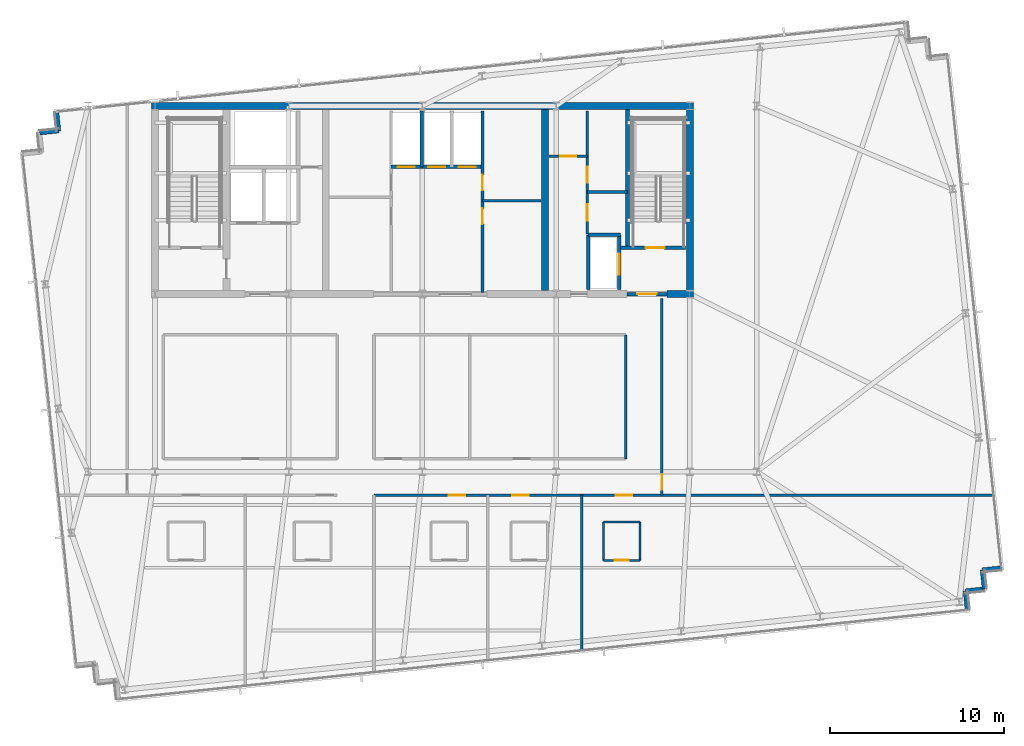
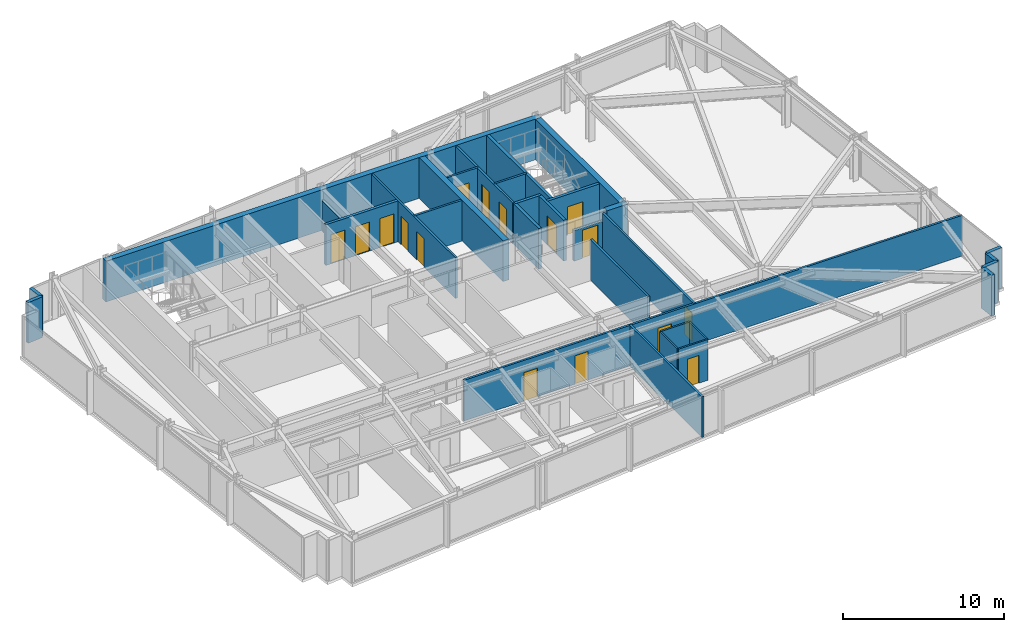
# One storey, part 28 of 33: 31 walls, 16 doors, 16 openings.
"""IFC4 building model written with IfcOpenShell, lengths in metres."""

from ifc_helpers import new_model, si_unit, direction, frame, frame_2d, origin, place, context, subcontext, project, spatial, rectangle, extrude, material, layer, layer_set, type_object, element, fill, save


model = new_model("IFC4")

# Units and contexts
model_context = context("Model", 3, precision=1e-05, world=origin(), true_north=direction((0.0, 1.0)))
body_context = subcontext(model_context, "Body", "Model", "MODEL_VIEW")
ifc_project = project(units=[si_unit("LENGTHUNIT", "METRE"), si_unit("AREAUNIT", "SQUARE_METRE"), si_unit("VOLUMEUNIT", "CUBIC_METRE"), si_unit("PLANEANGLEUNIT", "RADIAN"), si_unit("MASSUNIT", "GRAM", prefix="KILO")], contexts=[model_context])

# Site, building, storey
site_placement = place(None, origin())
site = spatial("IfcSite", under=ifc_project, at=site_placement, CompositionType="ELEMENT")
building_placement = place(site_placement, origin())
building = spatial("IfcBuilding", under=site, at=building_placement, Name="Yelkora Congress Tower", CompositionType="ELEMENT")
storey_placement = place(building_placement, frame((0.0, 0.0, 224.300048828125)))
storey = spatial("IfcBuildingStorey", under=building, at=storey_placement, Name="L62", CompositionType="ELEMENT", Elevation=224.300048828125)

# Walls
ifc_material_1 = material(Name="Concrete C50/60", Category="concrete")
ifc_layer_1 = layer(ifc_material_1, 0.219970703125)
ifc_layer_set_1 = layer_set([ifc_layer_1], Name="Concrete C50/60")
wall_type_1 = type_object("IfcWallType", Name="WALL-CORE-INT-220", PredefinedType="SHEAR", material=ifc_layer_set_1)
wall_1_placement = place(storey_placement, frame((50.179931640625, 38.050048828125, 0.0), z_axis=(0.0, 0.0, 1.0), x_axis=(0.0, 1.0, 0.0)))
element("IfcWall", 1, at=wall_1_placement, inside=storey, type_object=wall_type_1, Name="L62 ST02 West Stair Shear Wall", PredefinedType="SHEAR", context=body_context, shape_type="SweptSolid", body=[
    extrude(rectangle(XDim=7.949951171875, YDim=0.219970703125, at=frame_2d((3.97509765625, 0.0))), origin(), (0.0, 0.0, 1.0), 3.079833984375),
])
ifc_layer_2 = layer(ifc_material_1, 0.39990234375)
ifc_layer_set_2 = layer_set([ifc_layer_2], Name="Concrete C50/60")
wall_type_2 = type_object("IfcWallType", Name="WALL-CORE-INT-400", PredefinedType="SHEAR", material=ifc_layer_set_2)
wall_2_placement = place(storey_placement, frame((22.840087890625, 46.199951171875, 0.0), z_axis=(0.0, 0.0, 1.0), x_axis=(1.0, 0.0, 0.0)))
element("IfcWall", 2, at=wall_2_placement, inside=storey, type_object=wall_type_2, Name="L62 Rear Core North Shear Wall", PredefinedType="SHEAR", context=body_context, shape_type="SweptSolid", body=[
    extrude(rectangle(XDim=31.119873046875, YDim=0.39990234375, at=frame_2d((15.56005859375, 0.0))), origin(), (0.0, 0.0, 1.0), 3.079833984375),
])
wall_3_placement = place(storey_placement, frame((52.449951171875, 35.39990234375, 0.0), z_axis=(0.0, 0.0, 1.0), x_axis=(1.0, 0.0, 0.0)))
element("IfcWall", 3, at=wall_3_placement, inside=storey, type_object=wall_type_2, Name="L62 Rear Core South-East Shear Wall B", PredefinedType="SHEAR", context=body_context, shape_type="SweptSolid", body=[
    extrude(rectangle(XDim=1.510009765625, YDim=0.39990234375, at=frame_2d((0.7548828125, 0.0))), origin(), (0.0, 0.0, 1.0), 3.079833984375),
])
for number, where, z_axis, x_axis, name in (
    (4, (45.449951171875, 35.60009765625, 0.0), (0.0, 0.0, 1.0), (0.0, 1.0, 0.0), "L62 Rear Core Cross Shear Wall C3"),
    (5, (53.760009765625, 35.60009765625, 0.0), (0.0, 0.0, 1.0), (0.0, 1.0, 0.0), "L62 Rear Core Cross Shear Wall E"),
):
    element("IfcWall", number, at=place(storey_placement, frame(where, z_axis=z_axis, x_axis=x_axis)), inside=storey, type_object=wall_type_2, Name=name, PredefinedType="SHEAR", context=body_context, shape_type="SweptSolid", body=[
        extrude(rectangle(XDim=10.39990234375, YDim=0.39990234375, at=frame_2d((5.199951171875, 0.0))), origin(), (0.0, 0.0, 1.0), 3.079833984375),
    ])
ifc_material_2 = material(Name="Concrete C40/50", Category="concrete")
ifc_layer_3 = layer(ifc_material_2, 0.239990234375)
ifc_layer_set_3 = layer_set([ifc_layer_3], Name="Concrete C40/50")
wall_type_3 = type_object("IfcWallType", Name="WALL-EXT-LIMESTONE-240", PredefinedType="SOLIDWALL", material=ifc_layer_set_3)
wall_4_placement = place(storey_placement, frame((16.420166015625, 44.65380859375, 0.0), z_axis=(0.0, 0.0, 1.0), x_axis=(0.994541884982, 0.104338099541, 0.0)))
element("IfcWall", 6, at=wall_4_placement, inside=storey, type_object=wall_type_3, Name="L62 Serrated Corner Limestone Pier 8", PredefinedType="SOLIDWALL", context=body_context, shape_type="SweptSolid", body=[
    extrude(rectangle(XDim=1.099853515625, YDim=0.239990234375, at=frame_2d((0.5498046875, 0.0))), origin(), (0.0, 0.0, 1.0), 3.079833984375),
])
for number, where, z_axis, x_axis, name in (
    (7, (17.513916015625, 44.7685546875, 0.0), (0.0, 0.0, 1.0), (-0.104534592565, 0.994521251134, 0.0), "L62 Serrated Corner Limestone Pier 9"),
    (8, (71.654052734375, 19.67041015625, 0.0), (0.0, 0.0, 1.0), (-0.994521251134, -0.104534592565, 0.0), "L62 Serrated Corner Limestone Pier 16"),
    (9, (70.56005859375, 19.555419921875, 0.0), (0.0, 0.0, 1.0), (0.104534592565, -0.994521251134, 0.0), "L62 Serrated Corner Limestone Pier 17"),
    (10, (70.675048828125, 18.46142578125, 0.0), (0.0, 0.0, 1.0), (-0.994521251134, -0.104534592565, 0.0), "L62 Serrated Corner Limestone Pier 18"),
    (11, (69.5810546875, 18.346435546875, 0.0), (0.0, 0.0, 1.0), (0.104534592565, -0.994521251134, 0.0), "L62 Serrated Corner Limestone Pier 19"),
):
    element("IfcWall", number, at=place(storey_placement, frame(where, z_axis=z_axis, x_axis=x_axis)), inside=storey, type_object=wall_type_3, Name=name, PredefinedType="SOLIDWALL", context=body_context, shape_type="SweptSolid", body=[
        extrude(rectangle(XDim=1.10009765625, YDim=0.239990234375, at=frame_2d((0.550048828125, 0.0))), origin(), (0.0, 0.0, 1.0), 3.079833984375),
    ])
ifc_material_3 = material(Name="Moisture-resistant gypsum partition", Category="gypsum")
ifc_layer_4 = layer(ifc_material_3, 0.1201171875)
ifc_layer_set_4 = layer_set([ifc_layer_4], Name="Moisture-resistant gypsum partition")
wall_type_4 = type_object("IfcWallType", Name="WALL-INT-120-NR", PredefinedType="PARTITIONING", material=ifc_layer_set_4)
wall_5_placement = place(storey_placement, frame((48.81103515625, 22.300048828125, 0.0), z_axis=(0.0, 0.0, 1.0), x_axis=(1.0, 0.0, 0.0)))
element("IfcWall", 12, at=wall_5_placement, inside=storey, type_object=wall_type_4, Name="L62 Partition Wall 42", PredefinedType="PARTITIONING", context=body_context, shape_type="SweptSolid", body=[
    extrude(rectangle(XDim=2.099853515625, YDim=0.1201171875, at=frame_2d((1.0498046875, 0.0))), origin(), (0.0, 0.0, 1.0), 3.079833984375),
])
for number, where, z_axis, x_axis, name in (
    (13, (48.81103515625, 20.10009765625, 0.0), (0.0, 0.0, 1.0), (0.0, 1.0, 0.0), "L62 Partition Wall 43"),
    (14, (50.910888671875, 20.10009765625, 0.0), (0.0, 0.0, 1.0), (0.0, 1.0, 0.0), "L62 Partition Wall 44"),
):
    element("IfcWall", number, at=place(storey_placement, frame(where, z_axis=z_axis, x_axis=x_axis)), inside=storey, type_object=wall_type_4, Name=name, PredefinedType="PARTITIONING", context=body_context, shape_type="SweptSolid", body=[
        extrude(rectangle(XDim=2.199951171875, YDim=0.1201171875, at=frame_2d((1.10009765625, 0.0))), origin(), (0.0, 0.0, 1.0), 3.079833984375),
    ])

# Wall, opening, door
wall_6_placement = place(storey_placement, frame((48.81103515625, 20.10009765625, 0.0), z_axis=(0.0, 0.0, 1.0), x_axis=(1.0, 0.0, 0.0)))
wall_6 = element("IfcWall", 15, at=wall_6_placement, inside=storey, type_object=wall_type_4, Name="L62 Partition Wall 45", PredefinedType="PARTITIONING", context=body_context, shape_type="SweptSolid", body=[
    extrude(rectangle(XDim=2.099853515625, YDim=0.1201171875, at=frame_2d((1.0498046875, 0.0))), origin(), (0.0, 0.0, 1.0), 3.079833984375),
])
opening_1_placement = place(wall_6_placement, frame((0.64990234375, 0.0, 0.0)))
opening_1 = element("IfcOpeningElement", 16, at=opening_1_placement, cuts=wall_6, Name="Opening DR-080B", PredefinedType="OPENING", context=body_context, shape_type="SweptSolid", body=[
    extrude(rectangle(XDim=0.800048828125, YDim=2.10009765625, at=frame_2d((0.39990234375, 1.050048828125))), frame((0.0, 0.070068359375, 0.0), z_axis=(0.0, -1.0, 0.0), x_axis=(1.0, 0.0, 0.0)), (0.0, 0.0, 1.0), 0.14013671875),
])
ifc_material_4 = material(Name="Moisture-sealed en-suite timber door", Category="wood")
door_type_1 = type_object("IfcDoorType", Name="DOOR-BATH-800", OperationType="NOTDEFINED", PredefinedType="DOOR", material=ifc_material_4)
door_1_placement = place(opening_1_placement, origin())
door_1 = element("IfcDoor", 17, at=door_1_placement, inside=storey, type_object=door_type_1, Name="L62 En-suite Door 6", OperationType="SINGLE_SWING_RIGHT", OverallHeight=2.10009765625, OverallWidth=0.800048828125, PredefinedType="DOOR", context=body_context, shape_type="SweptSolid", body=[
    extrude(rectangle(XDim=0.800048828125, YDim=2.10009765625, at=frame_2d((0.39990234375, 1.050048828125))), frame((0.0, 0.02490234375, 0.0), z_axis=(0.0, -1.0, 0.0), x_axis=(1.0, 0.0, 0.0)), (0.0, 0.0, 1.0), 0.050048828125),
])
fill(opening_1, door_1)

ifc_material_5 = material(Name="Acoustic metal-stud gypsum partition", Category="gypsum")
ifc_layer_5 = layer(ifc_material_5, 0.14990234375)
ifc_layer_set_5 = layer_set([ifc_layer_5], Name="Acoustic metal-stud gypsum partition")
wall_type_5 = type_object("IfcWallType", Name="WALL-INT-150-NR", PredefinedType="PARTITIONING", material=ifc_layer_set_5)
wall_7_placement = place(storey_placement, frame((45.679931640625, 43.31005859375, 0.0), z_axis=(0.0, 0.0, 1.0), x_axis=(1.0, 0.0, 0.0)))
wall_7 = element("IfcWall", 18, at=wall_7_placement, inside=storey, type_object=wall_type_5, Name="L62 Partition Wall 20", PredefinedType="PARTITIONING", context=body_context, shape_type="SweptSolid", body=[
    extrude(rectangle(XDim=2.199951171875, YDim=0.14990234375, at=frame_2d((1.10009765625, 0.0))), origin(), (0.0, 0.0, 1.0), 3.079833984375),
])
opening_2_placement = place(wall_7_placement, frame((0.64990234375, 0.0, 0.0)))
opening_2 = element("IfcOpeningElement", 19, at=opening_2_placement, cuts=wall_7, Name="Opening DR-090N", PredefinedType="OPENING", context=body_context, shape_type="SweptSolid", body=[
    extrude(rectangle(XDim=0.89990234375, YDim=2.14990234375, at=frame_2d((0.449951171875, 1.074951171875))), frame((0.0, 0.0849609375, 0.0), z_axis=(0.0, -1.0, 0.0), x_axis=(1.0, 0.0, 0.0)), (0.0, 0.0, 1.0), 0.169921875),
])
ifc_material_6 = material(Name="Moisture-resistant laminate door leaf", Category="wood")
door_type_2 = type_object("IfcDoorType", Name="DOOR-INT-900", OperationType="NOTDEFINED", PredefinedType="DOOR", material=ifc_material_6)
door_2_placement = place(opening_2_placement, origin())
door_2 = element("IfcDoor", 20, at=door_2_placement, inside=storey, type_object=door_type_2, Name="L62 Male WC Door", OperationType="SINGLE_SWING_LEFT", OverallHeight=2.14990234375, OverallWidth=0.89990234375, PredefinedType="DOOR", context=body_context, shape_type="SweptSolid", body=[
    extrude(rectangle(XDim=0.89990234375, YDim=2.14990234375, at=frame_2d((0.449951171875, 1.074951171875))), frame((0.0, 0.02490234375, 0.0), z_axis=(0.0, -1.0, 0.0), x_axis=(1.0, 0.0, 0.0)), (0.0, 0.0, 1.0), 0.050048828125),
])
fill(opening_2, door_2)

# Wall
wall_8_placement = place(storey_placement, frame((47.8798828125, 41.260009765625, 0.0), z_axis=(0.0, 0.0, 1.0), x_axis=(1.0, 0.0, 0.0)))
element("IfcWall", 21, at=wall_8_placement, inside=storey, type_object=wall_type_5, Name="L62 Partition Wall 21", PredefinedType="PARTITIONING", context=body_context, shape_type="SweptSolid", body=[
    extrude(rectangle(XDim=2.300048828125, YDim=0.14990234375, at=frame_2d((1.14990234375, 0.0))), origin(), (0.0, 0.0, 1.0), 3.079833984375),
])

# Wall, openings, doors
wall_9_placement = place(storey_placement, frame((47.8798828125, 38.85009765625, 0.0), z_axis=(0.0, 0.0, 1.0), x_axis=(0.0, 1.0, 0.0)))
wall_9 = element("IfcWall", 22, at=wall_9_placement, inside=storey, type_object=wall_type_5, Name="L62 Partition Wall 22", PredefinedType="PARTITIONING", context=body_context, shape_type="SweptSolid", body=[
    extrude(rectangle(XDim=7.06982421875, YDim=0.14990234375, at=frame_2d((3.534912109375, 0.0))), origin(), (0.0, 0.0, 1.0), 3.079833984375),
])
opening_3_placement = place(wall_9_placement, frame((0.75, 0.0, 0.0)))
opening_3 = element("IfcOpeningElement", 23, at=opening_3_placement, cuts=wall_9, Name="Opening DR-095N", PredefinedType="OPENING", context=body_context, shape_type="SweptSolid", body=[
    extrude(rectangle(XDim=0.949951171875, YDim=2.14990234375, at=frame_2d((0.47509765625, 1.074951171875))), frame((0.0, 0.0849609375, 0.0), z_axis=(0.0, -1.0, 0.0), x_axis=(1.0, 0.0, 0.0)), (0.0, 0.0, 1.0), 0.169921875),
])
opening_4_placement = place(wall_9_placement, frame((2.949951171875, 0.0, 0.0)))
opening_4 = element("IfcOpeningElement", 24, at=opening_4_placement, cuts=wall_9, Name="Opening DR-090N", PredefinedType="OPENING", context=body_context, shape_type="SweptSolid", body=[
    extrude(rectangle(XDim=0.89990234375, YDim=2.14990234375, at=frame_2d((0.449951171875, 1.074951171875))), frame((0.0, 0.0849609375, 0.0), z_axis=(0.0, -1.0, 0.0), x_axis=(1.0, 0.0, 0.0)), (0.0, 0.0, 1.0), 0.169921875),
])
door_3_placement = place(opening_4_placement, origin())
door_3 = element("IfcDoor", 25, at=door_3_placement, inside=storey, type_object=door_type_2, Name="L62 Female WC Door", OperationType="SINGLE_SWING_LEFT", OverallHeight=2.14990234375, OverallWidth=0.89990234375, PredefinedType="DOOR", context=body_context, shape_type="SweptSolid", body=[
    extrude(rectangle(XDim=0.89990234375, YDim=2.14990234375, at=frame_2d((0.449951171875, 1.074951171875))), frame((0.0, 0.02490234375, 0.0), z_axis=(0.0, -1.0, 0.0), x_axis=(1.0, 0.0, 0.0)), (0.0, 0.0, 1.0), 0.050048828125),
])
fill(opening_4, door_3)
ifc_material_7 = material(Name="Acoustic laminated timber office door", Category="wood")
door_type_3 = type_object("IfcDoorType", Name="DOOR-INT-950", OperationType="NOTDEFINED", PredefinedType="DOOR", material=ifc_material_7)
door_4_placement = place(opening_3_placement, origin())
door_4 = element("IfcDoor", 26, at=door_4_placement, inside=storey, type_object=door_type_3, Name="L62 Accessible WC Door", OperationType="SINGLE_SWING_RIGHT", OverallHeight=2.14990234375, OverallWidth=0.949951171875, PredefinedType="DOOR", context=body_context, shape_type="SweptSolid", body=[
    extrude(rectangle(XDim=0.949951171875, YDim=2.14990234375, at=frame_2d((0.47509765625, 1.074951171875))), frame((0.0, 0.02490234375, 0.0), z_axis=(0.0, -1.0, 0.0), x_axis=(1.0, 0.0, 0.0)), (0.0, 0.0, 1.0), 0.050048828125),
])
fill(opening_3, door_4)

# Wall, opening, door
wall_10_placement = place(storey_placement, frame((52.159912109375, 23.85009765625, 0.0), z_axis=(0.0, 0.0, 1.0), x_axis=(0.0, 1.0, 0.0)))
wall_10 = element("IfcWall", 27, at=wall_10_placement, inside=storey, type_object=wall_type_5, Name="L62 Partition Wall 50", PredefinedType="PARTITIONING", context=body_context, shape_type="SweptSolid", body=[
    extrude(rectangle(XDim=11.289794921875, YDim=0.14990234375, at=frame_2d((5.64501953125, 0.0))), origin(), (0.0, 0.0, 1.0), 3.079833984375),
])
opening_5_placement = place(wall_10_placement, frame((0.300048828125, 0.0, 0.0)))
opening_5 = element("IfcOpeningElement", 28, at=opening_5_placement, cuts=wall_10, Name="Opening DR-090N", PredefinedType="OPENING", context=body_context, shape_type="SweptSolid", body=[
    extrude(rectangle(XDim=0.89990234375, YDim=2.14990234375, at=frame_2d((0.449951171875, 1.074951171875))), frame((0.0, 0.0849609375, 0.0), z_axis=(0.0, -1.0, 0.0), x_axis=(1.0, 0.0, 0.0)), (0.0, 0.0, 1.0), 0.169921875),
])
door_5_placement = place(opening_5_placement, origin())
door_5 = element("IfcDoor", 29, at=door_5_placement, inside=storey, type_object=door_type_2, Name="L62 E Wing Door", OperationType="SINGLE_SWING_LEFT", OverallHeight=2.14990234375, OverallWidth=0.89990234375, PredefinedType="DOOR", context=body_context, shape_type="SweptSolid", body=[
    extrude(rectangle(XDim=0.89990234375, YDim=2.14990234375, at=frame_2d((0.449951171875, 1.074951171875))), frame((0.0, 0.02490234375, 0.0), z_axis=(0.0, -1.0, 0.0), x_axis=(1.0, 0.0, 0.0)), (0.0, 0.0, 1.0), 0.050048828125),
])
fill(opening_5, door_5)

# Walls
wall_11_placement = place(storey_placement, frame((50.080078125, 25.929931640625, 0.0), z_axis=(0.0, 0.0, 1.0), x_axis=(0.0, 1.0, 0.0)))
element("IfcWall", 30, at=wall_11_placement, inside=storey, type_object=wall_type_5, Name="L62 Partition Wall 52", PredefinedType="PARTITIONING", context=body_context, shape_type="SweptSolid", body=[
    extrude(rectangle(XDim=7.1201171875, YDim=0.14990234375, at=frame_2d((3.56005859375, 0.0))), origin(), (0.0, 0.0, 1.0), 3.079833984375),
])
ifc_material_8 = material(Name="Twin-stud fire-rated gypsum partition", Category="gypsum")
ifc_layer_6 = layer(ifc_material_8, 0.14990234375)
ifc_layer_set_6 = layer_set([ifc_layer_6], Name="Twin-stud fire-rated gypsum partition")
wall_type_6 = type_object("IfcWallType", Name="WALL-INT-150-R60", PredefinedType="PARTITIONING", material=ifc_layer_set_6)
wall_12_placement = place(storey_placement, frame((41.85009765625, 40.75, 0.0), z_axis=(0.0, 0.0, 1.0), x_axis=(1.0, 0.0, 0.0)))
element("IfcWall", 31, at=wall_12_placement, inside=storey, type_object=wall_type_6, Name="L62 Partition Wall 13", PredefinedType="PARTITIONING", context=body_context, shape_type="SweptSolid", body=[
    extrude(rectangle(XDim=3.369873046875, YDim=0.14990234375, at=frame_2d((1.68505859375, 0.0))), origin(), (0.0, 0.0, 1.0), 3.079833984375),
])

# Wall, openings, doors
wall_13_placement = place(storey_placement, frame((41.85009765625, 35.5, 0.0), z_axis=(0.0, 0.0, 1.0), x_axis=(0.0, 1.0, 0.0)))
wall_13 = element("IfcWall", 32, at=wall_13_placement, inside=storey, type_object=wall_type_6, Name="L62 Partition Wall 14", PredefinedType="PARTITIONING", context=body_context, shape_type="SweptSolid", body=[
    extrude(rectangle(XDim=10.419921875, YDim=0.14990234375, at=frame_2d((5.2099609375, 0.0))), origin(), (0.0, 0.0, 1.0), 3.079833984375),
])
opening_6_placement = place(wall_13_placement, frame((3.919921875, 0.0, 0.0)))
opening_6 = element("IfcOpeningElement", 33, at=opening_6_placement, cuts=wall_13, Name="Opening DR-090F6", PredefinedType="OPENING", context=body_context, shape_type="SweptSolid", body=[
    extrude(rectangle(XDim=0.89990234375, YDim=2.14990234375, at=frame_2d((0.449951171875, 1.074951171875))), frame((0.0, 0.0849609375, 0.0), z_axis=(0.0, -1.0, 0.0), x_axis=(1.0, 0.0, 0.0)), (0.0, 0.0, 1.0), 0.169921875),
])
opening_7_placement = place(wall_13_placement, frame((5.85009765625, 0.0, 0.0)))
opening_7 = element("IfcOpeningElement", 34, at=opening_7_placement, cuts=wall_13, Name="Opening DR-090F6", PredefinedType="OPENING", context=body_context, shape_type="SweptSolid", body=[
    extrude(rectangle(XDim=0.89990234375, YDim=2.14990234375, at=frame_2d((0.449951171875, 1.074951171875))), frame((0.0, 0.0849609375, 0.0), z_axis=(0.0, -1.0, 0.0), x_axis=(1.0, 0.0, 0.0)), (0.0, 0.0, 1.0), 0.169921875),
])
ifc_material_9 = material(Name="Painted steel riser fire door leaf", Category="steel")
door_type_4 = type_object("IfcDoorType", Name="DOOR-FD60-900", OperationType="NOTDEFINED", PredefinedType="DOOR", material=ifc_material_9)
door_6_placement = place(opening_6_placement, origin())
door_6 = element("IfcDoor", 35, at=door_6_placement, inside=storey, type_object=door_type_4, Name="L62 High-Zone BMS Door", OperationType="SINGLE_SWING_RIGHT", OverallHeight=2.14990234375, OverallWidth=0.89990234375, PredefinedType="DOOR", context=body_context, shape_type="SweptSolid", body=[
    extrude(rectangle(XDim=0.89990234375, YDim=2.14990234375, at=frame_2d((0.449951171875, 1.074951171875))), frame((0.0, 0.02490234375, 0.0), z_axis=(0.0, -1.0, 0.0), x_axis=(1.0, 0.0, 0.0)), (0.0, 0.0, 1.0), 0.050048828125),
])
fill(opening_6, door_6)
door_7_placement = place(opening_7_placement, origin())
door_7 = element("IfcDoor", 36, at=door_7_placement, inside=storey, type_object=door_type_4, Name="L62 Linen Store Door", OperationType="SINGLE_SWING_LEFT", OverallHeight=2.14990234375, OverallWidth=0.89990234375, PredefinedType="DOOR", context=body_context, shape_type="SweptSolid", body=[
    extrude(rectangle(XDim=0.89990234375, YDim=2.14990234375, at=frame_2d((0.449951171875, 1.074951171875))), frame((0.0, 0.02490234375, 0.0), z_axis=(0.0, -1.0, 0.0), x_axis=(1.0, 0.0, 0.0)), (0.0, 0.0, 1.0), 0.050048828125),
])
fill(opening_7, door_7)

# Wall
wall_14_placement = place(storey_placement, frame((47.56201171875, 14.86572265625, 0.0), z_axis=(0.0, 0.0, 1.0), x_axis=(0.0, 1.0, 0.0)))
element("IfcWall", 37, at=wall_14_placement, inside=storey, type_object=wall_type_6, Name="L62 Partition Wall 46", PredefinedType="PARTITIONING", context=body_context, shape_type="SweptSolid", body=[
    extrude(rectangle(XDim=9.00439453125, YDim=0.14990234375, at=frame_2d((4.502197265625, 0.0))), origin(), (0.0, 0.0, 1.0), 3.079833984375),
])

# Wall, openings, doors
wall_15_placement = place(storey_placement, frame((35.6201171875, 23.85009765625, 0.0), z_axis=(0.0, 0.0, 1.0), x_axis=(1.0, 0.0, 0.0)))
wall_15 = element("IfcWall", 38, at=wall_15_placement, inside=storey, type_object=wall_type_6, Name="L62 South Spine Wall East", PredefinedType="PARTITIONING", context=body_context, shape_type="SweptSolid", body=[
    extrude(rectangle(XDim=35.655029296875, YDim=0.14990234375, at=frame_2d((17.82763671875, 0.0))), origin(), (0.0, 0.0, 1.0), 3.079833984375),
])
opening_8_placement = place(wall_15_placement, frame((4.299072265625, 0.0, 0.0)))
opening_8 = element("IfcOpeningElement", 39, at=opening_8_placement, cuts=wall_15, Name="Opening DR-095F6", PredefinedType="OPENING", context=body_context, shape_type="SweptSolid", body=[
    extrude(rectangle(XDim=0.949951171875, YDim=2.14990234375, at=frame_2d((0.47509765625, 1.074951171875))), frame((0.0, 0.0849609375, 0.0), z_axis=(0.0, -1.0, 0.0), x_axis=(1.0, 0.0, 0.0)), (0.0, 0.0, 1.0), 0.169921875),
])
opening_9_placement = place(wall_15_placement, frame((7.9384765625, 0.0, 0.0)))
opening_9 = element("IfcOpeningElement", 40, at=opening_9_placement, cuts=wall_15, Name="Opening DR-095F6", PredefinedType="OPENING", context=body_context, shape_type="SweptSolid", body=[
    extrude(rectangle(XDim=0.949951171875, YDim=2.14990234375, at=frame_2d((0.47509765625, 1.074951171875))), frame((0.0, 0.0849609375, 0.0), z_axis=(0.0, -1.0, 0.0), x_axis=(1.0, 0.0, 0.0)), (0.0, 0.0, 1.0), 0.169921875),
])
opening_10_placement = place(wall_15_placement, frame((13.881103515625, 0.0, 0.0)))
opening_10 = element("IfcOpeningElement", 41, at=opening_10_placement, cuts=wall_15, Name="Opening DR-095F6", PredefinedType="OPENING", context=body_context, shape_type="SweptSolid", body=[
    extrude(rectangle(XDim=0.949951171875, YDim=2.14990234375, at=frame_2d((0.47509765625, 1.074951171875))), frame((0.0, 0.0849609375, 0.0), z_axis=(0.0, -1.0, 0.0), x_axis=(1.0, 0.0, 0.0)), (0.0, 0.0, 1.0), 0.169921875),
])
ifc_material_10 = material(Name="Acoustic oak-veneer fire door leaf", Category="wood")
door_type_5 = type_object("IfcDoorType", Name="DOOR-FD60-950", OperationType="NOTDEFINED", PredefinedType="DOOR", material=ifc_material_10)
door_8_placement = place(opening_8_placement, origin())
door_8 = element("IfcDoor", 42, at=door_8_placement, inside=storey, type_object=door_type_5, Name="L62 Diplomatic Suite 04 Entry Door", OperationType="SINGLE_SWING_LEFT", OverallHeight=2.14990234375, OverallWidth=0.949951171875, PredefinedType="DOOR", context=body_context, shape_type="SweptSolid", body=[
    extrude(rectangle(XDim=0.949951171875, YDim=2.14990234375, at=frame_2d((0.47509765625, 1.074951171875))), frame((0.0, 0.02490234375, 0.0), z_axis=(0.0, -1.0, 0.0), x_axis=(1.0, 0.0, 0.0)), (0.0, 0.0, 1.0), 0.050048828125),
])
fill(opening_8, door_8)
door_9_placement = place(opening_9_placement, origin())
door_9 = element("IfcDoor", 43, at=door_9_placement, inside=storey, type_object=door_type_5, Name="L62 Hotel Guest Room 05 Entry Door", OperationType="SINGLE_SWING_RIGHT", OverallHeight=2.14990234375, OverallWidth=0.949951171875, PredefinedType="DOOR", context=body_context, shape_type="SweptSolid", body=[
    extrude(rectangle(XDim=0.949951171875, YDim=2.14990234375, at=frame_2d((0.47509765625, 1.074951171875))), frame((0.0, 0.02490234375, 0.0), z_axis=(0.0, -1.0, 0.0), x_axis=(1.0, 0.0, 0.0)), (0.0, 0.0, 1.0), 0.050048828125),
])
fill(opening_9, door_9)
door_10_placement = place(opening_10_placement, origin())
door_10 = element("IfcDoor", 44, at=door_10_placement, inside=storey, type_object=door_type_5, Name="L62 Diplomatic Suite 06 Entry Door", OperationType="SINGLE_SWING_LEFT", OverallHeight=2.14990234375, OverallWidth=0.949951171875, PredefinedType="DOOR", context=body_context, shape_type="SweptSolid", body=[
    extrude(rectangle(XDim=0.949951171875, YDim=2.14990234375, at=frame_2d((0.47509765625, 1.074951171875))), frame((0.0, 0.02490234375, 0.0), z_axis=(0.0, -1.0, 0.0), x_axis=(1.0, 0.0, 0.0)), (0.0, 0.0, 1.0), 0.050048828125),
])
fill(opening_10, door_10)

ifc_material_11 = material(Name="Autoclaved aerated concrete blockwork", Category="masonry")
ifc_layer_7 = layer(ifc_material_11, 0.199951171875)
ifc_layer_set_7 = layer_set([ifc_layer_7], Name="Autoclaved aerated concrete blockwork")
wall_type_7 = type_object("IfcWallType", Name="WALL-INT-200-R120", PredefinedType="PARTITIONING", material=ifc_layer_set_7)
wall_16_placement = place(storey_placement, frame((36.60009765625, 42.699951171875, 0.0), z_axis=(0.0, 0.0, 1.0), x_axis=(1.0, 0.0, 0.0)))
wall_16 = element("IfcWall", 45, at=wall_16_placement, inside=storey, type_object=wall_type_7, Name="L62 Partition Wall 8", PredefinedType="PARTITIONING", context=body_context, shape_type="SweptSolid", body=[
    extrude(rectangle(XDim=5.25, YDim=0.199951171875, at=frame_2d((2.625, 0.0))), origin(), (0.0, 0.0, 1.0), 3.079833984375),
])
opening_11_placement = place(wall_16_placement, frame((0.375, 0.0, 0.0)))
opening_11 = element("IfcOpeningElement", 46, at=opening_11_placement, cuts=wall_16, Name="Opening LD-PS10", PredefinedType="OPENING", context=body_context, shape_type="SweptSolid", body=[
    extrude(rectangle(XDim=1.0, YDim=2.199951171875, at=frame_2d((0.5, 1.10009765625))), frame((0.0, 0.10986328125, 0.0), z_axis=(0.0, -1.0, 0.0), x_axis=(1.0, 0.0, 0.0)), (0.0, 0.0, 1.0), 0.219970703125),
])
opening_12_placement = place(wall_16_placement, frame((2.125, 0.0, 0.0)))
opening_12 = element("IfcOpeningElement", 47, at=opening_12_placement, cuts=wall_16, Name="Opening LD-PS10", PredefinedType="OPENING", context=body_context, shape_type="SweptSolid", body=[
    extrude(rectangle(XDim=1.0, YDim=2.199951171875, at=frame_2d((0.5, 1.10009765625))), frame((0.0, 0.10986328125, 0.0), z_axis=(0.0, -1.0, 0.0), x_axis=(1.0, 0.0, 0.0)), (0.0, 0.0, 1.0), 0.219970703125),
])
opening_13_placement = place(wall_16_placement, frame((3.875, 0.0, 0.0)))
opening_13 = element("IfcOpeningElement", 48, at=opening_13_placement, cuts=wall_16, Name="Opening LD-PS10", PredefinedType="OPENING", context=body_context, shape_type="SweptSolid", body=[
    extrude(rectangle(XDim=1.0, YDim=2.199951171875, at=frame_2d((0.5, 1.10009765625))), frame((0.0, 0.10986328125, 0.0), z_axis=(0.0, -1.0, 0.0), x_axis=(1.0, 0.0, 0.0)), (0.0, 0.0, 1.0), 0.219970703125),
])
ifc_material_12 = material(Name="Champagne stainless steel landing door", Category="steel")
door_type_6 = type_object("IfcDoorType", Name="DOOR-LIFT-PAS-1000", OperationType="DOUBLE_DOOR_SLIDING", PredefinedType="DOOR", material=ifc_material_12)
door_11_placement = place(opening_11_placement, origin())
door_11 = element("IfcDoor", 49, at=door_11_placement, inside=storey, type_object=door_type_6, Name="Lift Landing Door LF-P9 L62", OperationType="DOUBLE_DOOR_SLIDING", OverallHeight=2.199951171875, OverallWidth=1.0, PredefinedType="DOOR", context=body_context, shape_type="SweptSolid", body=[
    extrude(rectangle(XDim=1.0, YDim=2.199951171875, at=frame_2d((0.5, 1.10009765625))), frame((0.0, 0.02490234375, 0.0), z_axis=(0.0, -1.0, 0.0), x_axis=(1.0, 0.0, 0.0)), (0.0, 0.0, 1.0), 0.050048828125),
])
fill(opening_11, door_11)
door_12_placement = place(opening_12_placement, origin())
door_12 = element("IfcDoor", 50, at=door_12_placement, inside=storey, type_object=door_type_6, Name="Lift Landing Door LF-P10 L62", OperationType="DOUBLE_DOOR_SLIDING", OverallHeight=2.199951171875, OverallWidth=1.0, PredefinedType="DOOR", context=body_context, shape_type="SweptSolid", body=[
    extrude(rectangle(XDim=1.0, YDim=2.199951171875, at=frame_2d((0.5, 1.10009765625))), frame((0.0, 0.02490234375, 0.0), z_axis=(0.0, -1.0, 0.0), x_axis=(1.0, 0.0, 0.0)), (0.0, 0.0, 1.0), 0.050048828125),
])
fill(opening_12, door_12)
door_13_placement = place(opening_13_placement, origin())
door_13 = element("IfcDoor", 51, at=door_13_placement, inside=storey, type_object=door_type_6, Name="Lift Landing Door LF-P11 L62", OperationType="DOUBLE_DOOR_SLIDING", OverallHeight=2.199951171875, OverallWidth=1.0, PredefinedType="DOOR", context=body_context, shape_type="SweptSolid", body=[
    extrude(rectangle(XDim=1.0, YDim=2.199951171875, at=frame_2d((0.5, 1.10009765625))), frame((0.0, 0.02490234375, 0.0), z_axis=(0.0, -1.0, 0.0), x_axis=(1.0, 0.0, 0.0)), (0.0, 0.0, 1.0), 0.050048828125),
])
fill(opening_13, door_13)

# Wall
wall_17_placement = place(storey_placement, frame((38.35009765625, 42.699951171875, 0.0), z_axis=(0.0, 0.0, 1.0), x_axis=(0.0, 1.0, 0.0)))
element("IfcWall", 52, at=wall_17_placement, inside=storey, type_object=wall_type_7, Name="L62 Partition Wall 9", PredefinedType="PARTITIONING", context=body_context, shape_type="SweptSolid", body=[
    extrude(rectangle(XDim=3.219970703125, YDim=0.199951171875, at=frame_2d((1.60986328125, 0.0))), origin(), (0.0, 0.0, 1.0), 2.31298828125),
])

# Wall, opening, door
wall_18_placement = place(storey_placement, frame((49.780029296875, 38.050048828125, 0.0), z_axis=(0.0, 0.0, 1.0), x_axis=(1.0, 0.0, 0.0)))
wall_18 = element("IfcWall", 53, at=wall_18_placement, inside=storey, type_object=wall_type_7, Name="L62 Stair ST-02 Enclosure Wall", PredefinedType="PARTITIONING", context=body_context, shape_type="SweptSolid", body=[
    extrude(rectangle(XDim=3.719970703125, YDim=0.199951171875, at=frame_2d((1.85986328125, 0.0))), origin(), (0.0, 0.0, 1.0), 3.079833984375),
])
opening_14_placement = place(wall_18_placement, frame((1.436279296875, 0.0, 0.0)))
opening_14 = element("IfcOpeningElement", 54, at=opening_14_placement, cuts=wall_18, Name="Opening DR-110F9", PredefinedType="OPENING", context=body_context, shape_type="SweptSolid", body=[
    extrude(rectangle(XDim=1.10009765625, YDim=2.14990234375, at=frame_2d((0.550048828125, 1.074951171875))), frame((0.0, 0.10986328125, 0.0), z_axis=(0.0, -1.0, 0.0), x_axis=(1.0, 0.0, 0.0)), (0.0, 0.0, 1.0), 0.219970703125),
])
ifc_material_13 = material(Name="Galvanised steel fire door leaf", Category="steel")
door_type_7 = type_object("IfcDoorType", Name="DOOR-FD90-1100", OperationType="NOTDEFINED", PredefinedType="DOOR", material=ifc_material_13)
door_14_placement = place(opening_14_placement, origin())
door_14 = element("IfcDoor", 55, at=door_14_placement, inside=storey, type_object=door_type_7, Name="L62 Stair ST-02 Entry Door", OperationType="SINGLE_SWING_RIGHT", OverallHeight=2.14990234375, OverallWidth=1.10009765625, PredefinedType="DOOR", context=body_context, shape_type="SweptSolid", body=[
    extrude(rectangle(XDim=1.10009765625, YDim=2.14990234375, at=frame_2d((0.550048828125, 1.074951171875))), frame((0.0, 0.02490234375, 0.0), z_axis=(0.0, -1.0, 0.0), x_axis=(1.0, 0.0, 0.0)), (0.0, 0.0, 1.0), 0.050048828125),
])
fill(opening_14, door_14)

wall_19_placement = place(storey_placement, frame((50.14990234375, 35.39990234375, 0.0), z_axis=(0.0, 0.0, 1.0), x_axis=(1.0, 0.0, 0.0)))
wall_19 = element("IfcWall", 56, at=wall_19_placement, inside=storey, type_object=wall_type_7, Name="L62 Partition Wall 16", PredefinedType="PARTITIONING", context=body_context, shape_type="SweptSolid", body=[
    extrude(rectangle(XDim=2.300048828125, YDim=0.199951171875, at=frame_2d((1.14990234375, 0.0))), origin(), (0.0, 0.0, 1.0), 2.31298828125),
])
opening_15_placement = place(wall_19_placement, frame((0.60009765625, 0.0, 0.0)))
opening_15 = element("IfcOpeningElement", 57, at=opening_15_placement, cuts=wall_19, Name="Opening DR-110F9", PredefinedType="OPENING", context=body_context, shape_type="SweptSolid", body=[
    extrude(rectangle(XDim=1.10009765625, YDim=2.14990234375, at=frame_2d((0.550048828125, 1.074951171875))), frame((0.0, 0.10986328125, 0.0), z_axis=(0.0, -1.0, 0.0), x_axis=(1.0, 0.0, 0.0)), (0.0, 0.0, 1.0), 0.219970703125),
])
door_15_placement = place(opening_15_placement, origin())
door_15 = element("IfcDoor", 58, at=door_15_placement, inside=storey, type_object=door_type_7, Name="L62 East Stair Lobby Door", OperationType="SINGLE_SWING_LEFT", OverallHeight=2.14990234375, OverallWidth=1.10009765625, PredefinedType="DOOR", context=body_context, shape_type="SweptSolid", body=[
    extrude(rectangle(XDim=1.10009765625, YDim=2.14990234375, at=frame_2d((0.550048828125, 1.074951171875))), frame((0.0, 0.02490234375, 0.0), z_axis=(0.0, -1.0, 0.0), x_axis=(1.0, 0.0, 0.0)), (0.0, 0.0, 1.0), 0.050048828125),
])
fill(opening_15, door_15)

wall_20_placement = place(storey_placement, frame((49.699951171875, 35.64990234375, 0.0), z_axis=(0.0, 0.0, 1.0), x_axis=(0.0, 1.0, 0.0)))
wall_20 = element("IfcWall", 59, at=wall_20_placement, inside=storey, type_object=wall_type_7, Name="L62 Partition Wall 17", PredefinedType="PARTITIONING", context=body_context, shape_type="SweptSolid", body=[
    extrude(rectangle(XDim=3.150146484375, YDim=0.199951171875, at=frame_2d((1.5751953125, 0.0))), origin(), (0.0, 0.0, 1.0), 3.079833984375),
])
opening_16_placement = place(wall_20_placement, frame((0.85009765625, 0.0, 0.0)))
opening_16 = element("IfcOpeningElement", 60, at=opening_16_placement, cuts=wall_20, Name="Opening LD-SV12", PredefinedType="OPENING", context=body_context, shape_type="SweptSolid", body=[
    extrude(rectangle(XDim=1.199951171875, YDim=2.199951171875, at=frame_2d((0.60009765625, 1.10009765625))), frame((0.0, 0.10986328125, 0.0), z_axis=(0.0, -1.0, 0.0), x_axis=(1.0, 0.0, 0.0)), (0.0, 0.0, 1.0), 0.219970703125),
])
ifc_material_14 = material(Name="Heavy-duty stainless steel landing door", Category="steel")
door_type_8 = type_object("IfcDoorType", Name="DOOR-LIFT-SRV-1200", OperationType="DOUBLE_DOOR_SLIDING", PredefinedType="DOOR", material=ifc_material_14)
door_16_placement = place(opening_16_placement, origin())
door_16 = element("IfcDoor", 61, at=door_16_placement, inside=storey, type_object=door_type_8, Name="Service Lift Landing Door LF-SV1 L62", OperationType="DOUBLE_DOOR_SLIDING", OverallHeight=2.199951171875, OverallWidth=1.199951171875, PredefinedType="DOOR", context=body_context, shape_type="SweptSolid", body=[
    extrude(rectangle(XDim=1.199951171875, YDim=2.199951171875, at=frame_2d((0.60009765625, 1.10009765625))), frame((0.0, 0.02490234375, 0.0), z_axis=(0.0, -1.0, 0.0), x_axis=(1.0, 0.0, 0.0)), (0.0, 0.0, 1.0), 0.050048828125),
])
fill(opening_16, door_16)

# Walls
wall_21_placement = place(storey_placement, frame((47.919921875, 35.64990234375, 0.0), z_axis=(0.0, 0.0, 1.0), x_axis=(0.0, 1.0, 0.0)))
element("IfcWall", 62, at=wall_21_placement, inside=storey, type_object=wall_type_7, Name="L62 Partition Wall 18", PredefinedType="PARTITIONING", context=body_context, shape_type="SweptSolid", body=[
    extrude(rectangle(XDim=3.150146484375, YDim=0.199951171875, at=frame_2d((1.5751953125, 0.0))), origin(), (0.0, 0.0, 1.0), 3.079833984375),
])
wall_22_placement = place(storey_placement, frame((47.919921875, 38.800048828125, 0.0), z_axis=(0.0, 0.0, 1.0), x_axis=(1.0, 0.0, 0.0)))
element("IfcWall", 63, at=wall_22_placement, inside=storey, type_object=wall_type_7, Name="L62 Partition Wall 19", PredefinedType="PARTITIONING", context=body_context, shape_type="SweptSolid", body=[
    extrude(rectangle(XDim=1.860107421875, YDim=0.199951171875, at=frame_2d((0.93017578125, 0.0))), origin(), (0.0, 0.0, 1.0), 3.079833984375),
])

save(model, "model.ifc")
